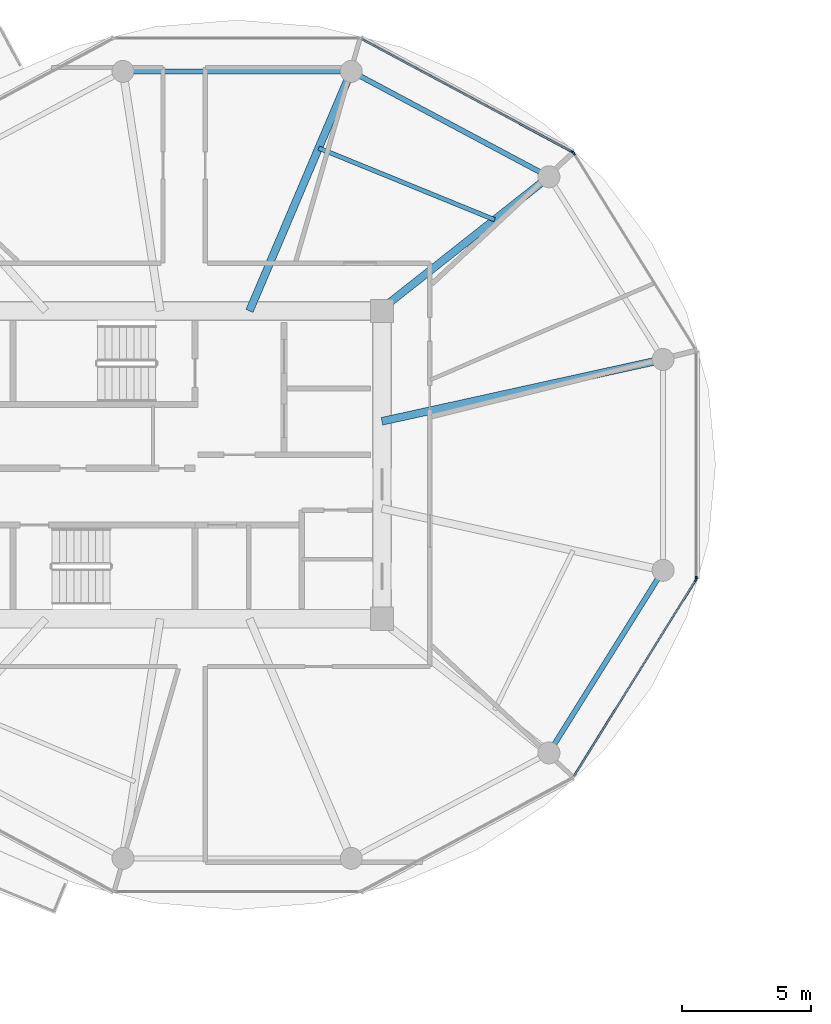
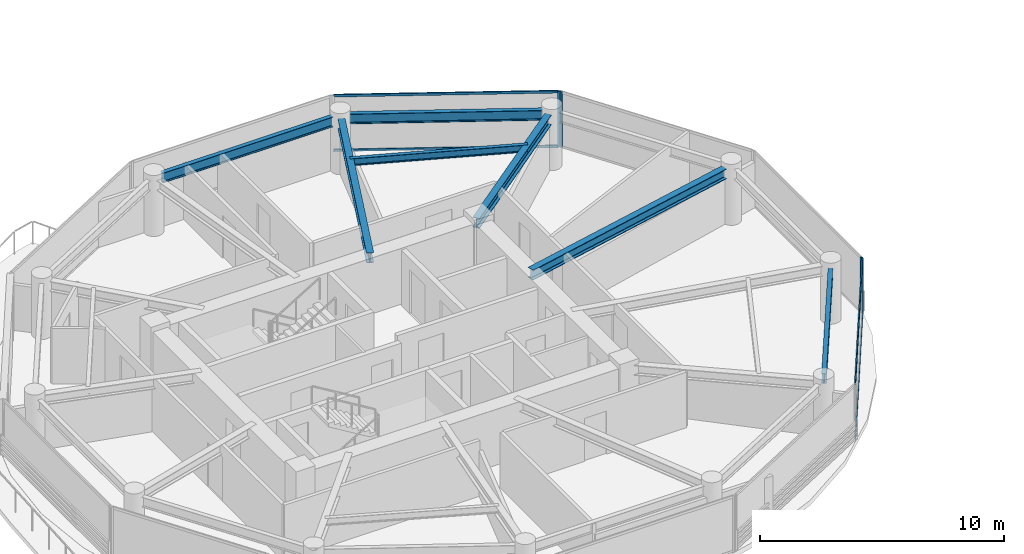
# One storey, part 5 of 22: 8 members, 7 beams, 4 elements without a shape of their own.
"""IFC4 building model written with IfcOpenShell, lengths in metres."""

from ifc_helpers import new_model, si_unit, direction, frame, origin, origin_2d, place, context, subcontext, project, spatial, rectangle, i_section, extrude, source, transform, mapped, material, layer, layer_set, material_profile, profile_set, type_object, type_shapes, element, aggregate, save


model = new_model("IFC4")

# Units and contexts
model_context = context("Model", 3, precision=1e-05, world=origin(), true_north=direction((0.0, 1.0)))
body_context = subcontext(model_context, "Body", "Model", "MODEL_VIEW")
ifc_project = project(units=[si_unit("LENGTHUNIT", "METRE"), si_unit("AREAUNIT", "SQUARE_METRE"), si_unit("VOLUMEUNIT", "CUBIC_METRE"), si_unit("PLANEANGLEUNIT", "RADIAN"), si_unit("MASSUNIT", "GRAM", prefix="KILO")], contexts=[model_context])

# Site, building, storey
site_placement = place(None, origin())
site = spatial("IfcSite", under=ifc_project, at=site_placement, CompositionType="ELEMENT")
building_placement = place(site_placement, origin())
building = spatial("IfcBuilding", under=site, at=building_placement, Name="Norrkilde Senior Care Towers", CompositionType="ELEMENT")
storey_placement = place(building_placement, frame((0.0, 0.0, 96.25)))
storey = spatial("IfcBuildingStorey", under=building, at=storey_placement, Name="L29", CompositionType="ELEMENT", Elevation=96.25)

# Beams
ifc_material_1 = material(Name="Steel S355", Category="steel")
ifc_material_profile_1 = material_profile(ifc_material_1, i_section(OverallWidth=0.199951171875, OverallDepth=0.5, WebThickness=0.01025390625, FlangeThickness=0.01611328125, FilletRadius=0.02099609375, at=origin_2d()), Name="IPE 500")
ifc_profile_set_1 = profile_set([ifc_material_profile_1], Name="Steel S355")
beam_type_1 = type_object("IfcBeamType", Name="Perimeter Ring Spandrel Z2 IPE500", PredefinedType="SPANDREL", material=ifc_profile_set_1)
shared_shape_1 = source(origin(), body_context, "Body", "SweptSolid", [
    extrude(i_section(OverallWidth=0.199951171875, OverallDepth=0.5, WebThickness=0.01025390625, FlangeThickness=0.01611328125, FilletRadius=0.02099609375, at=origin_2d()), origin(), (0.0, 0.0, 1.0), 7.55615234375),
])
beam_1_placement = place(storey_placement, frame((-13.689697265625, -10.810546875, 2.5400390625), z_axis=(0.529981514254, 0.848009194849, 0.0), x_axis=(-0.848009194849, 0.529981514254, 0.0)))
element("IfcBeam", 1, at=beam_1_placement, inside=storey, type_object=beam_type_1, Name="L29 Drum W Perimeter Spandrel 11", PredefinedType="SPANDREL", context=body_context, shape_type="MappedRepresentation", body=[
    mapped(shared_shape_1, transform((0.0, 0.0, 0.0), x_axis=(1.0, 0.0, 0.0), y_axis=(0.0, 1.0, 0.0), z_axis=(0.0, 0.0, 1.0), scale=1.0)),
])
ifc_material_profile_2 = material_profile(ifc_material_1, i_section(OverallWidth=0.300048828125, OverallDepth=0.5, WebThickness=0.014404296875, FlangeThickness=0.028076171875, FilletRadius=0.027099609375, at=origin_2d()), Name="HEB 500")
ifc_profile_set_2 = profile_set([ifc_material_profile_2], Name="Steel S355")
beam_type_2 = type_object("IfcBeamType", Name="Radial Floor Beam Z2 HEB500", PredefinedType="BEAM", material=ifc_profile_set_2)
shared_shape_2 = source(origin(), body_context, "Body", "SweptSolid", [
    extrude(i_section(OverallWidth=0.300048828125, OverallDepth=0.5, WebThickness=0.014404296875, FlangeThickness=0.028076171875, FilletRadius=0.027099609375, at=origin_2d()), origin(), (0.0, 0.0, 1.0), 10.744384765625),
])
beam_2_placement = place(storey_placement, frame((-20.35009765625, 1.683837890625, 2.5400390625), z_axis=(0.976618711422, 0.214978818724, 0.0), x_axis=(-0.214978818724, 0.976618711422, 0.0)))
element("IfcBeam", 2, at=beam_2_placement, inside=storey, type_object=beam_type_2, Name="L29 Drum W Radial Floor Beam 01", PredefinedType="BEAM", context=body_context, shape_type="MappedRepresentation", body=[
    mapped(shared_shape_2, transform((0.0, 0.0, 0.0), x_axis=(1.0, 0.0, 0.0), y_axis=(0.0, 1.0, 0.0), z_axis=(0.0, 0.0, 1.0), scale=1.0)),
])
shared_shape_3 = source(origin(), body_context, "Body", "SweptSolid", [
    extrude(i_section(OverallWidth=0.199951171875, OverallDepth=0.5, WebThickness=0.01025390625, FlangeThickness=0.01611328125, FilletRadius=0.02099609375, at=origin_2d()), origin(), (0.0, 0.0, 1.0), 7.892333984375),
])
beam_3_placement = place(storey_placement, frame((-14.233642578125, 11.318115234375, 2.5400390625), z_axis=(-0.882350372282, 0.47059305194, 0.0), x_axis=(-0.47059305194, -0.882350372282, 0.0)))
element("IfcBeam", 3, at=beam_3_placement, inside=storey, type_object=beam_type_1, Name="L29 Drum W Perimeter Spandrel 02", PredefinedType="SPANDREL", context=body_context, shape_type="MappedRepresentation", body=[
    mapped(shared_shape_3, transform((0.0, 0.0, 0.0), x_axis=(1.0, 0.0, 0.0), y_axis=(0.0, 1.0, 0.0), z_axis=(0.0, 0.0, 1.0), scale=1.0)),
])
shared_shape_4 = source(origin(), body_context, "Body", "SweptSolid", [
    extrude(i_section(OverallWidth=0.300048828125, OverallDepth=0.5, WebThickness=0.014404296875, FlangeThickness=0.028076171875, FilletRadius=0.027099609375, at=origin_2d()), origin(), (0.0, 0.0, 1.0), 7.985595703125),
])
beam_4_placement = place(storey_placement, frame((-20.463623046875, 5.949951171875, 2.5400390625), z_axis=(0.784858505144, 0.619675017169, 0.0), x_axis=(-0.619675017169, 0.784858505144, 0.0)))
element("IfcBeam", 4, at=beam_4_placement, inside=storey, type_object=beam_type_2, Name="L29 Drum W Radial Floor Beam 02", PredefinedType="BEAM", context=body_context, shape_type="MappedRepresentation", body=[
    mapped(shared_shape_4, transform((0.0, 0.0, 0.0), x_axis=(1.0, 0.0, 0.0), y_axis=(0.0, 1.0, 0.0), z_axis=(0.0, 0.0, 1.0), scale=1.0)),
])
shared_shape_5 = source(origin(), body_context, "Body", "SweptSolid", [
    extrude(i_section(OverallWidth=0.199951171875, OverallDepth=0.5, WebThickness=0.01025390625, FlangeThickness=0.01611328125, FilletRadius=0.02099609375, at=origin_2d()), origin(), (0.0, 0.0, 1.0), 8.0556640625),
])
type_shapes(beam_type_1, [shared_shape_1, shared_shape_3, shared_shape_5])
beam_5_placement = place(storey_placement, frame((-21.922119140625, 15.21337890625, 2.5400390625), z_axis=(-1.0, 0.0, 0.0), x_axis=(0.0, -1.0, 0.0)))
element("IfcBeam", 5, at=beam_5_placement, inside=storey, type_object=beam_type_1, Name="L29 Drum W Perimeter Spandrel 03", PredefinedType="SPANDREL", context=body_context, shape_type="MappedRepresentation", body=[
    mapped(shared_shape_5, transform((0.0, 0.0, 0.0), x_axis=(1.0, 0.0, 0.0), y_axis=(0.0, 1.0, 0.0), z_axis=(0.0, 0.0, 1.0), scale=1.0)),
])
shared_shape_6 = source(origin(), body_context, "Body", "SweptSolid", [
    extrude(i_section(OverallWidth=0.300048828125, OverallDepth=0.5, WebThickness=0.014404296875, FlangeThickness=0.028076171875, FilletRadius=0.027099609375, at=origin_2d()), origin(), (0.0, 0.0, 1.0), 9.679443359375),
])
type_shapes(beam_type_2, [shared_shape_2, shared_shape_4, shared_shape_6])
beam_6_placement = place(storey_placement, frame((-25.472412109375, 5.949951171875, 2.5400390625), z_axis=(0.390998033479, 0.920391513333, 0.0), x_axis=(-0.920391513333, 0.390998033479, 0.0)))
element("IfcBeam", 6, at=beam_6_placement, inside=storey, type_object=beam_type_2, Name="L29 Drum W Radial Floor Beam 03", PredefinedType="BEAM", context=body_context, shape_type="MappedRepresentation", body=[
    mapped(shared_shape_6, transform((0.0, 0.0, 0.0), x_axis=(1.0, 0.0, 0.0), y_axis=(0.0, 1.0, 0.0), z_axis=(0.0, 0.0, 1.0), scale=1.0)),
])
ifc_material_profile_3 = material_profile(ifc_material_1, i_section(OverallWidth=0.169921875, OverallDepth=0.360107421875, WebThickness=0.008056640625, FlangeThickness=0.0126953125, FilletRadius=0.01806640625, at=origin_2d()), Name="IPE 360")
ifc_profile_set_3 = profile_set([ifc_material_profile_3], Name="Steel S355")
beam_type_3 = type_object("IfcBeamType", Name="Secondary Floor Joist IPE360", PredefinedType="JOIST", material=ifc_profile_set_3)
shared_shape_7 = source(origin(), body_context, "Body", "SweptSolid", [
    extrude(i_section(OverallWidth=0.169921875, OverallDepth=0.360107421875, WebThickness=0.008056640625, FlangeThickness=0.0126953125, FilletRadius=0.01806640625, at=origin_2d()), origin(), (0.0, 0.0, 1.0), 7.343505859375),
])
type_shapes(beam_type_3, [shared_shape_7])
beam_7_placement = place(storey_placement, frame((-15.99609375, 9.47705078125, 2.610107421875), z_axis=(-0.926021784767, 0.377470070519, 0.0), x_axis=(-0.377470070519, -0.926021784767, 0.0)))
element("IfcBeam", 7, at=beam_7_placement, inside=storey, type_object=beam_type_3, Name="L29 Drum W Secondary Floor Joist 1", PredefinedType="JOIST", context=body_context, shape_type="MappedRepresentation", body=[
    mapped(shared_shape_7, transform((0.0, 0.0, 0.0), x_axis=(1.0, 0.0, 0.0), y_axis=(0.0, 1.0, 0.0), z_axis=(0.0, 0.0, 1.0), scale=1.0)),
])

# Curtain wall, member
ifc_material_2 = material(Name="Triple Low-E Insulated Glazing", Category="glass")
ifc_layer = layer(ifc_material_2, 0.195068359375)
ifc_layer_set = layer_set([ifc_layer], Name="Triple Low-E Insulated Glazing")
curtain_wall_type = type_object("IfcCurtainWallType", Name="CW3 Zone 2 Assisted Living Curtain Wall", PredefinedType="NOTDEFINED", material=ifc_layer_set)
curtain_wall_1_placement = place(storey_placement, origin())
curtain_wall_1 = element("IfcCurtainWall", 8, at=curtain_wall_1_placement, inside=storey, type_object=curtain_wall_type, Name="L29 Drum W Curtain Wall 00", PredefinedType="NOTDEFINED")
ifc_material_3 = material(Name="Anodised Aluminium", Category="aluminium")
ifc_material_profile_4 = material_profile(ifc_material_3, rectangle(XDim=0.06494140625, YDim=0.159912109375, at=origin_2d()), Name="ALU MULL 65x160")
ifc_profile_set_4 = profile_set([ifc_material_profile_4], Name="Anodised Aluminium")
member_type_1 = type_object("IfcMemberType", Name="Curtain Wall Mullion Z1-Z2 65x160", PredefinedType="MULLION", material=ifc_profile_set_4)
shared_shape_8 = source(origin(), body_context, "Body", "SweptSolid", [
    extrude(rectangle(XDim=0.06494140625, YDim=0.159912109375, at=origin_2d()), origin(), (0.0, 0.0, 1.0), 2.7900390625),
])
type_shapes(member_type_1, [shared_shape_8])
member_1_placement = place(storey_placement, frame((-12.936279296875, 12.0498046875, 0.0), z_axis=(0.0, 0.0, 1.0), x_axis=(0.849410171862, 0.527733228002, 0.0)))
member_1 = element("IfcMember", 9, at=member_1_placement, type_object=member_type_1, Name="CW-3 mullion 1", PredefinedType="MULLION", context=body_context, shape_type="MappedRepresentation", body=[
    mapped(shared_shape_8, transform((0.0, 0.0, 0.0), x_axis=(1.0, 0.0, 0.0), y_axis=(0.0, 1.0, 0.0), z_axis=(0.0, 0.0, 1.0), scale=1.0)),
])
aggregate(curtain_wall_1, [member_1])

curtain_wall_2_placement = place(storey_placement, origin())
curtain_wall_2 = element("IfcCurtainWall", 10, at=curtain_wall_2_placement, inside=storey, type_object=curtain_wall_type, Name="L29 Drum W Curtain Wall 01", PredefinedType="NOTDEFINED")
member_2_placement = place(storey_placement, frame((-12.98193359375, 12.0927734375, 0.0), z_axis=(0.0, 0.0, 1.0), x_axis=(0.472769402511, 0.881186184668, 0.0)))
member_2 = element("IfcMember", 11, at=member_2_placement, type_object=member_type_1, Name="CW-3 mullion 2", PredefinedType="MULLION", context=body_context, shape_type="MappedRepresentation", body=[
    mapped(shared_shape_8, transform((0.0, 0.0, 0.0), x_axis=(1.0, 0.0, 0.0), y_axis=(0.0, 1.0, 0.0), z_axis=(0.0, 0.0, 1.0), scale=1.0)),
])

curtain_wall_3_placement = place(storey_placement, origin())
curtain_wall_3 = element("IfcCurtainWall", 12, at=curtain_wall_3_placement, inside=storey, type_object=curtain_wall_type, Name="L29 Drum W Curtain Wall 10", PredefinedType="NOTDEFINED")
member_3_placement = place(storey_placement, frame((-8.21337890625, -4.4482421875, 0.0), z_axis=(0.0, 0.0, 1.0), x_axis=(0.849410171862, -0.527733228002, 0.0)))
member_3 = element("IfcMember", 13, at=member_3_placement, type_object=member_type_1, Name="CW-3 mullion 1", PredefinedType="MULLION", context=body_context, shape_type="MappedRepresentation", body=[
    mapped(shared_shape_8, transform((0.0, 0.0, 0.0), x_axis=(1.0, 0.0, 0.0), y_axis=(0.0, 1.0, 0.0), z_axis=(0.0, 0.0, 1.0), scale=1.0)),
])

curtain_wall_4_placement = place(storey_placement, origin())
curtain_wall_4 = element("IfcCurtainWall", 14, at=curtain_wall_4_placement, inside=storey, type_object=curtain_wall_type, Name="L29 Drum W Curtain Wall 11", PredefinedType="NOTDEFINED")
member_4_placement = place(storey_placement, frame((-8.1962890625, -4.38818359375, 0.0), z_axis=(0.0, 0.0, 1.0), x_axis=(1.0, 0.0, 0.0)))
member_4 = element("IfcMember", 15, at=member_4_placement, type_object=member_type_1, Name="CW-3 mullion 2", PredefinedType="MULLION", context=body_context, shape_type="MappedRepresentation", body=[
    mapped(shared_shape_8, transform((0.0, 0.0, 0.0), x_axis=(1.0, 0.0, 0.0), y_axis=(0.0, 1.0, 0.0), z_axis=(0.0, 0.0, 1.0), scale=1.0)),
])
aggregate(curtain_wall_4, [member_4])

# Member
ifc_material_profile_5 = material_profile(ifc_material_3, rectangle(XDim=0.06005859375, YDim=0.1201171875, at=origin_2d()), Name="ALU TRAN 60x120")
ifc_profile_set_5 = profile_set([ifc_material_profile_5], Name="Anodised Aluminium")
member_type_2 = type_object("IfcMemberType", Name="Curtain Wall Transom Typical 60x120", PredefinedType="USERDEFINED", material=ifc_profile_set_5)
shared_shape_9 = source(origin(), body_context, "Body", "SweptSolid", [
    extrude(rectangle(XDim=0.06005859375, YDim=0.1201171875, at=origin_2d()), origin(), (0.0, 0.0, 1.0), 8.88427734375),
])
member_5_placement = place(storey_placement, frame((-8.23046875, -4.475830078125, 0.030029296875), z_axis=(-0.527749293309, -0.849400190377, 0.0), x_axis=(0.849400190377, -0.527749293309, 0.0)))
member_5 = element("IfcMember", 16, at=member_5_placement, type_object=member_type_2, Name="CW-3 transom 1.1", ObjectType="TRANSOM", PredefinedType="USERDEFINED", context=body_context, shape_type="MappedRepresentation", body=[
    mapped(shared_shape_9, transform((0.0, 0.0, 0.0), x_axis=(1.0, 0.0, 0.0), y_axis=(0.0, 1.0, 0.0), z_axis=(0.0, 0.0, 1.0), scale=1.0)),
])

member_6_placement = place(storey_placement, frame((-8.23046875, -4.475830078125, 2.760009765625), z_axis=(-0.527749293309, -0.849400190377, 0.0), x_axis=(0.849400190377, -0.527749293309, 0.0)))
member_6 = element("IfcMember", 17, at=member_6_placement, type_object=member_type_2, Name="CW-3 transom 1.2", ObjectType="TRANSOM", PredefinedType="USERDEFINED", context=body_context, shape_type="MappedRepresentation", body=[
    mapped(shared_shape_9, transform((0.0, 0.0, 0.0), x_axis=(1.0, 0.0, 0.0), y_axis=(0.0, 1.0, 0.0), z_axis=(0.0, 0.0, 1.0), scale=1.0)),
])

aggregate(curtain_wall_3, [member_3, member_5, member_6])

shared_shape_10 = source(origin(), body_context, "Body", "SweptSolid", [
    extrude(rectangle(XDim=0.06005859375, YDim=0.1201171875, at=origin_2d()), origin(), (0.0, 0.0, 1.0), 9.220458984375),
])
type_shapes(member_type_2, [shared_shape_9, shared_shape_10])
member_7_placement = place(storey_placement, frame((-21.1357421875, 16.46728515625, 0.030029296875), z_axis=(0.881188517866, -0.472765053681, 0.0), x_axis=(0.472765053681, 0.881188517866, 0.0)))
member_7 = element("IfcMember", 18, at=member_7_placement, type_object=member_type_2, Name="CW-3 transom 1.1", ObjectType="TRANSOM", PredefinedType="USERDEFINED", context=body_context, shape_type="MappedRepresentation", body=[
    mapped(shared_shape_10, transform((0.0, 0.0, 0.0), x_axis=(1.0, 0.0, 0.0), y_axis=(0.0, 1.0, 0.0), z_axis=(0.0, 0.0, 1.0), scale=1.0)),
])

member_8_placement = place(storey_placement, frame((-21.1357421875, 16.46728515625, 2.760009765625), z_axis=(0.881188517866, -0.472765053681, 0.0), x_axis=(0.472765053681, 0.881188517866, 0.0)))
member_8 = element("IfcMember", 19, at=member_8_placement, type_object=member_type_2, Name="CW-3 transom 1.2", ObjectType="TRANSOM", PredefinedType="USERDEFINED", context=body_context, shape_type="MappedRepresentation", body=[
    mapped(shared_shape_10, transform((0.0, 0.0, 0.0), x_axis=(1.0, 0.0, 0.0), y_axis=(0.0, 1.0, 0.0), z_axis=(0.0, 0.0, 1.0), scale=1.0)),
])

aggregate(curtain_wall_2, [member_2, member_7, member_8])

save(model, "model.ifc")
